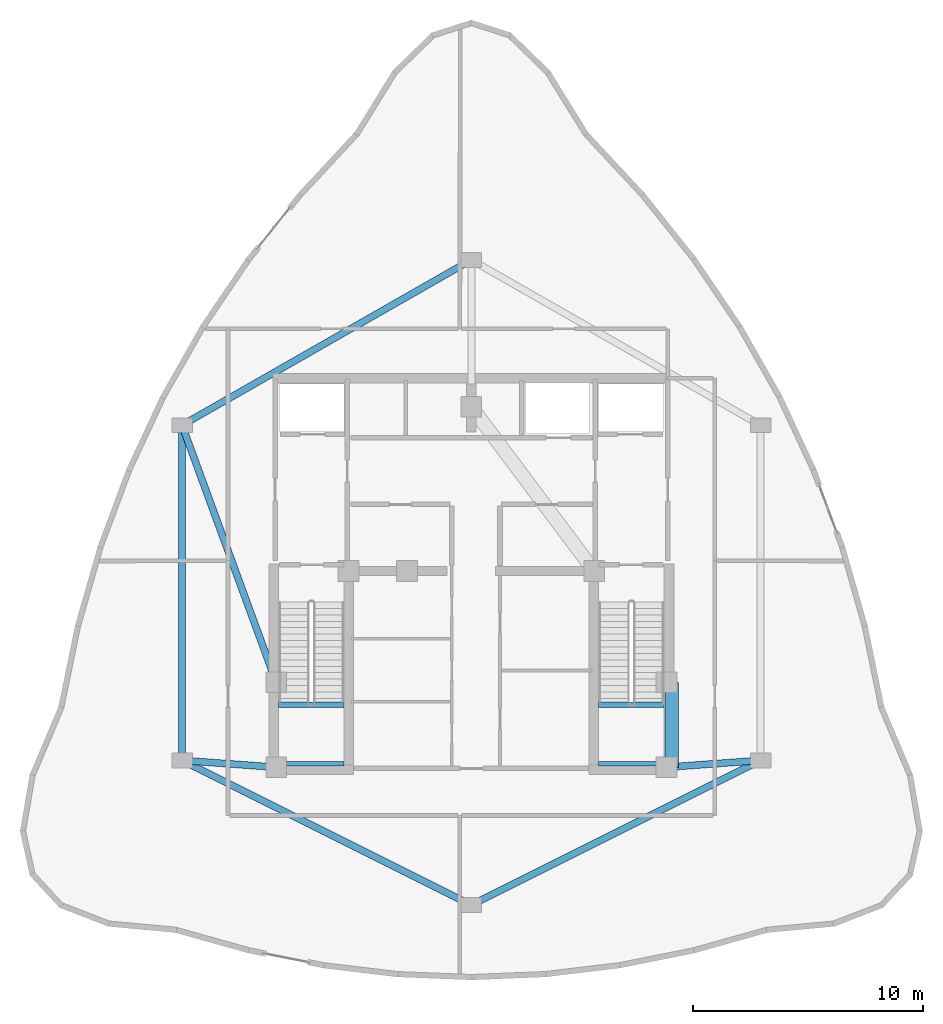
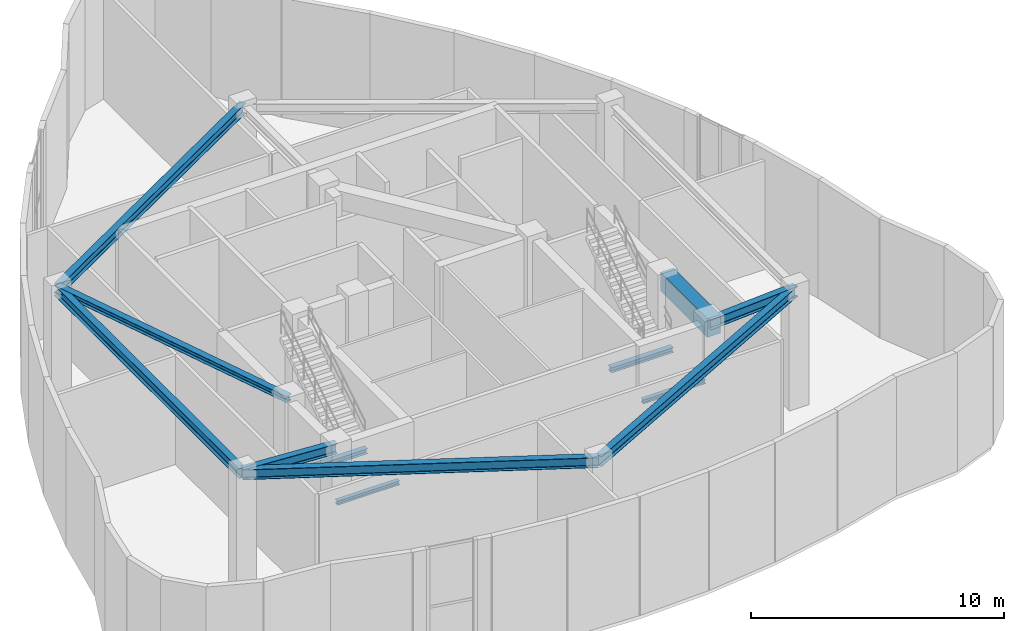
# One storey, part 3 of 11: 12 beams.
"""IFC4 building model written with IfcOpenShell, lengths in metres."""

from ifc_helpers import new_model, si_unit, direction, frame, origin, origin_2d, place, context, subcontext, project, spatial, rectangle, i_section, extrude, material, material_profile, profile_set, type_object, element, save


model = new_model("IFC4")

# Units and contexts
model_context = context("Model", 3, precision=1e-05, world=origin(), true_north=direction((0.0, 1.0)))
body_context = subcontext(model_context, "Body", "Model", "MODEL_VIEW")
ifc_project = project(units=[si_unit("LENGTHUNIT", "METRE"), si_unit("AREAUNIT", "SQUARE_METRE"), si_unit("VOLUMEUNIT", "CUBIC_METRE"), si_unit("PLANEANGLEUNIT", "RADIAN"), si_unit("MASSUNIT", "GRAM", prefix="KILO")], contexts=[model_context])

# Site, building, storey
site_placement = place(None, origin())
site = spatial("IfcSite", under=ifc_project, at=site_placement, CompositionType="ELEMENT")
building_placement = place(site_placement, origin())
building = spatial("IfcBuilding", under=site, at=building_placement, Name="Miruveldt Soraemaru", CompositionType="ELEMENT")
storey_placement = place(building_placement, frame((0.0, 0.0, 300.800048828125)))
storey = spatial("IfcBuildingStorey", under=building, at=storey_placement, Name="L80", CompositionType="ELEMENT", Elevation=300.800048828125)

# Beams
ifc_material_1 = material(Name="Steel SM355 (355 MPa)", Category="steel")
ifc_material_profile_1 = material_profile(ifc_material_1, i_section(OverallWidth=0.300048828125, OverallDepth=0.300048828125, WebThickness=0.010009765625, FlangeThickness=0.014892578125, FilletRadius=0.01806640625, at=origin_2d()), Name="Steel SM355 (355 MPa)", Category="steel")
ifc_profile_set_1 = profile_set([ifc_material_profile_1], Name="Steel SM355 (355 MPa)")
beam_type_1 = type_object("IfcBeamType", Name="BM-LNT-H300", PredefinedType="LINTEL", material=ifc_profile_set_1)
beam_1_placement = place(storey_placement, frame((31.39990234375, 50.39990234375, 5.58984375), z_axis=(0.343770424598, -0.939053723262, 0.0), x_axis=(0.939053723262, 0.343770424598, 0.0)))
element("IfcBeam", 1, at=beam_1_placement, inside=storey, type_object=beam_type_1, Name="L80 West Lobby Lintel", PredefinedType="LINTEL", context=body_context, shape_type="SweptSolid", body=[
    extrude(i_section(OverallWidth=0.300048828125, OverallDepth=0.300048828125, WebThickness=0.010009765625, FlangeThickness=0.014892578125, FilletRadius=0.01806640625, at=origin_2d()), origin(), (0.0, 0.0, 1.0), 11.9267578125),
])
ifc_material_2 = material(Name="Concrete C60/75 (60 MPa)", Category="concrete")
ifc_material_profile_2 = material_profile(ifc_material_2, rectangle(XDim=0.60009765625, YDim=0.89990234375, at=origin_2d()), Name="Concrete C60/75 (60 MPa)", Category="concrete")
ifc_profile_set_2 = profile_set([ifc_material_profile_2], Name="Concrete C60/75 (60 MPa)")
beam_type_2 = type_object("IfcBeamType", Name="BM-RC-600x900", PredefinedType="BEAM", material=ifc_profile_set_2)
beam_2_placement = place(storey_placement, frame((52.72998046875, 35.5, 5.2900390625), z_axis=(0.0, 1.0, 0.0), x_axis=(-1.0, 0.0, 0.0)))
element("IfcBeam", 2, at=beam_2_placement, inside=storey, type_object=beam_type_2, Name="L80 Core Tie Beam 3", PredefinedType="BEAM", context=body_context, shape_type="SweptSolid", body=[
    extrude(rectangle(XDim=0.60009765625, YDim=0.89990234375, at=origin_2d()), origin(), (0.0, 0.0, 1.0), 3.699951171875),
])
ifc_material_profile_3 = material_profile(ifc_material_1, i_section(OverallWidth=0.300048828125, OverallDepth=0.488037109375, WebThickness=0.010986328125, FlangeThickness=0.01806640625, FilletRadius=0.02587890625, at=origin_2d()), Name="Steel SM355 (355 MPa)", Category="steel")
ifc_profile_set_3 = profile_set([ifc_material_profile_3], Name="Steel SM355 (355 MPa)")
beam_type_3 = type_object("IfcBeamType", Name="BM-ST-H488", PredefinedType="BEAM", material=ifc_profile_set_3)
beam_3_placement = place(storey_placement, frame((56.60009765625, 35.800048828125, 5.495849609375), z_axis=(-0.894427191, -0.4472135955, 0.0), x_axis=(0.4472135955, -0.894427191, 0.0)))
element("IfcBeam", 3, at=beam_3_placement, inside=storey, type_object=beam_type_3, Name="L80 Inner Ring Girder 3", PredefinedType="BEAM", context=body_context, shape_type="SweptSolid", body=[
    extrude(i_section(OverallWidth=0.300048828125, OverallDepth=0.488037109375, WebThickness=0.010986328125, FlangeThickness=0.01806640625, FilletRadius=0.02587890625, at=origin_2d()), origin(), (0.0, 0.0, 1.0), 14.08740234375),
])
beam_4_placement = place(storey_placement, frame((52.5, 35.5, 5.495849609375), z_axis=(0.997332985605, 0.072985723431, 0.0), x_axis=(-0.072985723431, 0.997332985605, 0.0)))
element("IfcBeam", 4, at=beam_4_placement, inside=storey, type_object=beam_type_3, Name="L80 Core-to-Inner Radial Girder 3", PredefinedType="BEAM", context=body_context, shape_type="SweptSolid", body=[
    extrude(i_section(OverallWidth=0.300048828125, OverallDepth=0.488037109375, WebThickness=0.010986328125, FlangeThickness=0.01806640625, FilletRadius=0.02587890625, at=origin_2d()), origin(), (0.0, 0.0, 1.0), 4.111083984375),
])
beam_5_placement = place(storey_placement, frame((44.0, 29.5, 5.495849609375), z_axis=(-0.894427191, 0.4472135955, 0.0), x_axis=(-0.4472135955, -0.894427191, 0.0)))
element("IfcBeam", 5, at=beam_5_placement, inside=storey, type_object=beam_type_3, Name="L80 Inner Ring Girder 4", PredefinedType="BEAM", context=body_context, shape_type="SweptSolid", body=[
    extrude(i_section(OverallWidth=0.300048828125, OverallDepth=0.488037109375, WebThickness=0.010986328125, FlangeThickness=0.01806640625, FilletRadius=0.02587890625, at=origin_2d()), origin(), (0.0, 0.0, 1.0), 14.08740234375),
])
beam_6_placement = place(storey_placement, frame((31.39990234375, 35.800048828125, 5.495849609375), z_axis=(0.0, 1.0, 0.0), x_axis=(-1.0, 0.0, 0.0)))
element("IfcBeam", 6, at=beam_6_placement, inside=storey, type_object=beam_type_3, Name="L80 Inner Ring Girder 5", PredefinedType="BEAM", context=body_context, shape_type="SweptSolid", body=[
    extrude(i_section(OverallWidth=0.300048828125, OverallDepth=0.488037109375, WebThickness=0.010986328125, FlangeThickness=0.01806640625, FilletRadius=0.02587890625, at=origin_2d()), origin(), (0.0, 0.0, 1.0), 14.599853515625),
])
beam_7_placement = place(storey_placement, frame((35.5, 35.5, 5.495849609375), z_axis=(-0.997332985605, 0.072985723431, 0.0), x_axis=(-0.072985723431, -0.997332985605, 0.0)))
element("IfcBeam", 7, at=beam_7_placement, inside=storey, type_object=beam_type_3, Name="L80 Core-to-Inner Radial Girder 5", PredefinedType="BEAM", context=body_context, shape_type="SweptSolid", body=[
    extrude(i_section(OverallWidth=0.300048828125, OverallDepth=0.488037109375, WebThickness=0.010986328125, FlangeThickness=0.01806640625, FilletRadius=0.02587890625, at=origin_2d()), origin(), (0.0, 0.0, 1.0), 4.111083984375),
])
beam_8_placement = place(storey_placement, frame((31.39990234375, 50.39990234375, 5.495849609375), z_axis=(0.868239001029, 0.496146185203, 0.0), x_axis=(-0.496146185203, 0.868239001029, 0.0)))
element("IfcBeam", 8, at=beam_8_placement, inside=storey, type_object=beam_type_3, Name="L80 Inner Ring Girder 6", PredefinedType="BEAM", context=body_context, shape_type="SweptSolid", body=[
    extrude(i_section(OverallWidth=0.300048828125, OverallDepth=0.488037109375, WebThickness=0.010986328125, FlangeThickness=0.01806640625, FilletRadius=0.02587890625, at=origin_2d()), origin(), (0.0, 0.0, 1.0), 14.51220703125),
])
ifc_material_profile_4 = material_profile(ifc_material_1, i_section(OverallWidth=0.199951171875, OverallDepth=0.199951171875, WebThickness=0.008056640625, FlangeThickness=0.011962890625, FilletRadius=0.012939453125, at=origin_2d()), Name="Steel SM355 (355 MPa)", Category="steel")
ifc_profile_set_4 = profile_set([ifc_material_profile_4], Name="Steel SM355 (355 MPa)")
beam_type_4 = type_object("IfcBeamType", Name="BM-ST-LND200", PredefinedType="BEAM", material=ifc_profile_set_4)
for number, where, z_axis, x_axis, name in (
    (9, (35.60009765625, 35.64990234375, 2.699951171875), (1.0, 0.0, 0.0), (0.0, 1.0, 0.0), "L80 ST1 Landing End Beam 1B"),
    (10, (49.550048828125, 35.64990234375, 2.699951171875), (1.0, 0.0, 0.0), (0.0, 1.0, 0.0), "L80 ST2 Landing End Beam 1B"),
):
    element("IfcBeam", number, at=place(storey_placement, frame(where, z_axis=z_axis, x_axis=x_axis)), inside=storey, type_object=beam_type_4, Name=name, PredefinedType="BEAM", context=body_context, shape_type="SweptSolid", body=[
        extrude(i_section(OverallWidth=0.199951171875, OverallDepth=0.199951171875, WebThickness=0.008056640625, FlangeThickness=0.011962890625, FilletRadius=0.012939453125, at=origin_2d()), origin(), (0.0, 0.0, 1.0), 2.849853515625),
    ])
ifc_material_profile_5 = material_profile(ifc_material_1, i_section(OverallWidth=0.25, OverallDepth=0.25, WebThickness=0.009033203125, FlangeThickness=0.013916015625, FilletRadius=0.01611328125, at=origin_2d()), Name="Steel SM355 (355 MPa)", Category="steel")
ifc_profile_set_5 = profile_set([ifc_material_profile_5], Name="Steel SM355 (355 MPa)")
beam_type_5 = type_object("IfcBeamType", Name="BM-ST-LND250", PredefinedType="BEAM", material=ifc_profile_set_5)
for number, where, z_axis, x_axis, name in (
    (11, (35.60009765625, 38.219970703125, 2.675048828125), (1.0, 0.0, 0.0), (0.0, 1.0, 0.0), "L80 ST1 Landing Support Beam 1A"),
    (12, (49.550048828125, 38.219970703125, 2.675048828125), (1.0, 0.0, 0.0), (0.0, 1.0, 0.0), "L80 ST2 Landing Support Beam 1A"),
):
    element("IfcBeam", number, at=place(storey_placement, frame(where, z_axis=z_axis, x_axis=x_axis)), inside=storey, type_object=beam_type_5, Name=name, PredefinedType="BEAM", context=body_context, shape_type="SweptSolid", body=[
        extrude(i_section(OverallWidth=0.25, OverallDepth=0.25, WebThickness=0.009033203125, FlangeThickness=0.013916015625, FilletRadius=0.01611328125, at=origin_2d()), origin(), (0.0, 0.0, 1.0), 2.849853515625),
    ])

save(model, "model.ifc")
